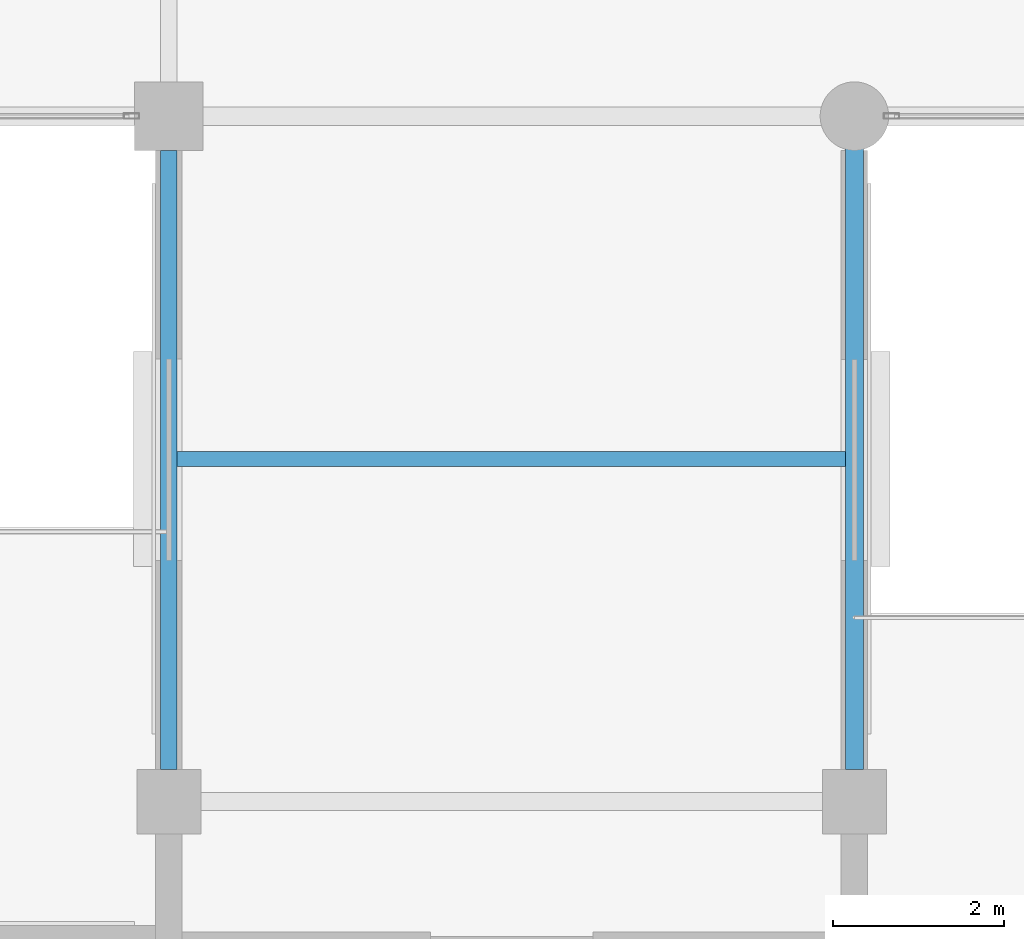
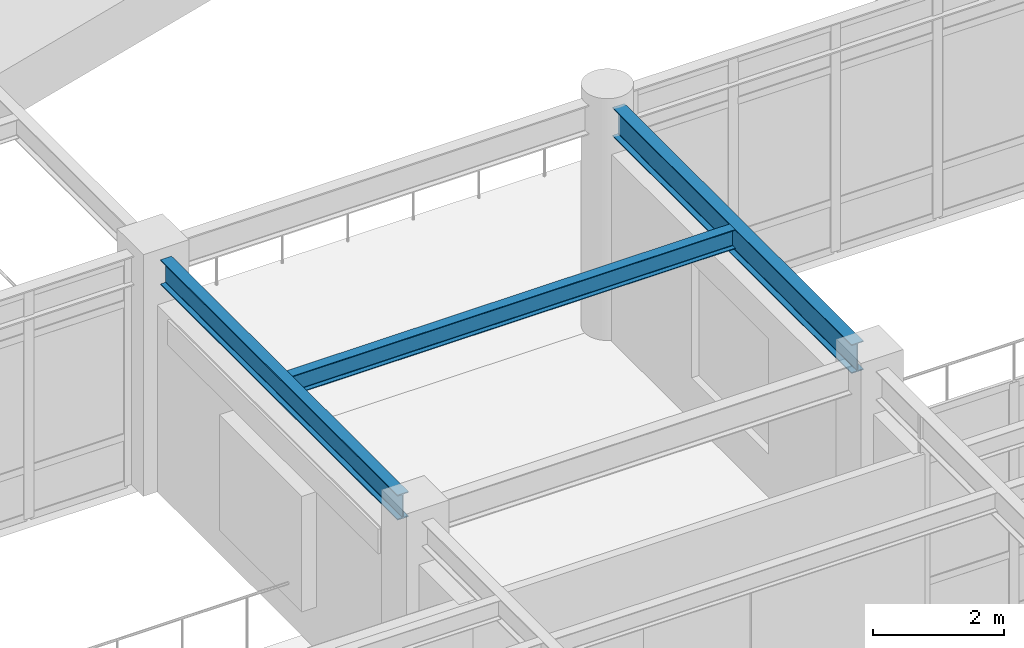
# One storey, part 20 of 111: 3 beams.
"""IFC4 building model written with IfcOpenShell, lengths in metres."""

from ifc_helpers import new_model, si_unit, direction, frame, origin, origin_2d, place, context, subcontext, project, spatial, i_section, extrude, material, material_profile, profile_set, type_object, element, save


model = new_model("IFC4")

# Units and contexts
model_context = context("Model", 3, precision=1e-05, world=origin(), true_north=direction((0.0, 1.0)))
body_context = subcontext(model_context, "Body", "Model", "MODEL_VIEW")
ifc_project = project(units=[si_unit("LENGTHUNIT", "METRE"), si_unit("AREAUNIT", "SQUARE_METRE"), si_unit("VOLUMEUNIT", "CUBIC_METRE"), si_unit("PLANEANGLEUNIT", "RADIAN"), si_unit("MASSUNIT", "GRAM", prefix="KILO")], contexts=[model_context])

# Site, building, storey
site_placement = place(None, origin())
site = spatial("IfcSite", under=ifc_project, at=site_placement, CompositionType="ELEMENT")
building_placement = place(site_placement, origin())
building = spatial("IfcBuilding", under=site, at=building_placement, Name="Solmirada Galleria", CompositionType="ELEMENT")
storey_placement = place(building_placement, frame((0.0, 0.0, 10.39990234375)))
storey = spatial("IfcBuildingStorey", under=building, at=storey_placement, Name="L02", CompositionType="ELEMENT", Elevation=10.39990234375)

# Beams
ifc_material = material(Name="Steel S355 / ASTM A992 Grade 50", Category="steel")
ifc_material_profile_1 = material_profile(ifc_material, i_section(OverallWidth=0.194091796875, OverallDepth=0.468994140625, WebThickness=0.0126953125, FlangeThickness=0.0205078125, FilletRadius=0.013916015625, at=origin_2d()), Name="W18X71")
ifc_profile_set_1 = profile_set([ifc_material_profile_1], Name="Steel S355 / ASTM A992 Grade 50")
beam_type_1 = type_object("IfcBeamType", Name="BM-GIRD-W18B", PredefinedType="BEAM", material=ifc_profile_set_1)
beam_1_placement = place(storey_placement, frame((88.0, 40.375, 4.065673828125), z_axis=(0.0, 1.0, 0.0), x_axis=(-1.0, 0.0, 0.0)))
element("IfcBeam", 1, at=beam_1_placement, inside=storey, type_object=beam_type_1, Name="Primary girder L03 Y(88, 40..48)", PredefinedType="BEAM", context=body_context, shape_type="SweptSolid", body=[
    extrude(i_section(OverallWidth=0.194091796875, OverallDepth=0.468994140625, WebThickness=0.0126953125, FlangeThickness=0.0205078125, FilletRadius=0.013916015625, at=origin_2d()), origin(), (0.0, 0.0, 1.0), 7.22509765625),
])
ifc_material_profile_2 = material_profile(ifc_material, i_section(OverallWidth=0.2099609375, OverallDepth=0.537109375, WebThickness=0.010986328125, FlangeThickness=0.017333984375, FilletRadius=0.014892578125, at=origin_2d()), Name="W21X68")
ifc_profile_set_2 = profile_set([ifc_material_profile_2], Name="Steel S355 / ASTM A992 Grade 50")
beam_type_2 = type_object("IfcBeamType", Name="BM-GIRD-W21B", PredefinedType="BEAM", material=ifc_profile_set_2)
beam_2_placement = place(storey_placement, frame((96.0, 40.375, 4.031494140625), z_axis=(0.0, 1.0, 0.0), x_axis=(-1.0, 0.0, 0.0)))
element("IfcBeam", 2, at=beam_2_placement, inside=storey, type_object=beam_type_2, Name="Primary girder L03 Y(96, 40..48)", PredefinedType="BEAM", context=body_context, shape_type="SweptSolid", body=[
    extrude(i_section(OverallWidth=0.2099609375, OverallDepth=0.537109375, WebThickness=0.010986328125, FlangeThickness=0.017333984375, FilletRadius=0.014892578125, at=origin_2d()), origin(), (0.0, 0.0, 1.0), 7.2890625),
])
ifc_material_profile_3 = material_profile(ifc_material, i_section(OverallWidth=0.172119140625, OverallDepth=0.35791015625, WebThickness=0.0078125, FlangeThickness=0.01318359375, FilletRadius=0.011962890625, at=origin_2d()), Name="W14X38")
ifc_profile_set_3 = profile_set([ifc_material_profile_3], Name="Steel S355 / ASTM A992 Grade 50")
beam_type_3 = type_object("IfcBeamType", Name="BM-JST-W14A", PredefinedType="JOIST", material=ifc_profile_set_3)
beam_3_placement = place(storey_placement, frame((88.096923828125, 44.0, 4.12109375), z_axis=(1.0, 0.0, 0.0), x_axis=(0.0, 1.0, 0.0)))
element("IfcBeam", 3, at=beam_3_placement, inside=storey, type_object=beam_type_3, Name="Composite floor joist L03 (88..96, 44.0)", PredefinedType="JOIST", context=body_context, shape_type="SweptSolid", body=[
    extrude(i_section(OverallWidth=0.172119140625, OverallDepth=0.35791015625, WebThickness=0.0078125, FlangeThickness=0.01318359375, FilletRadius=0.011962890625, at=origin_2d()), origin(), (0.0, 0.0, 1.0), 7.798095703125),
])

save(model, "model.ifc")
